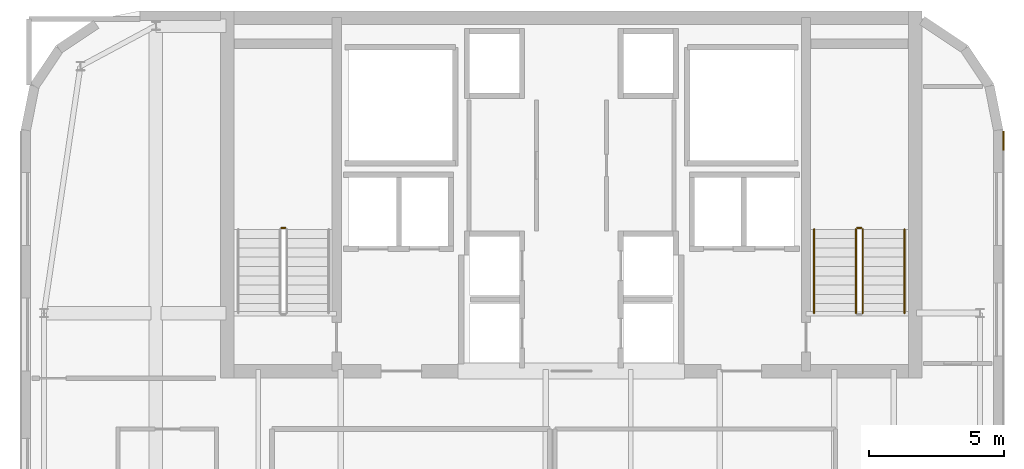
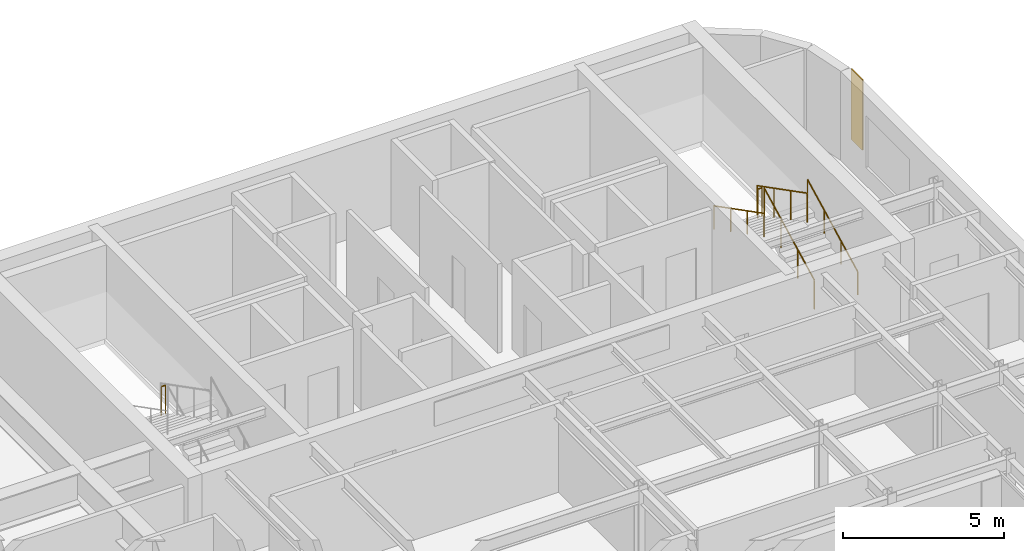
# One storey, part 20 of 20: 6 railings, 1 covering.
"""IFC4 building model written with IfcOpenShell, lengths in metres."""

from ifc_helpers import new_model, si_unit, direction, frame, origin, origin_2d, place, context, subcontext, project, spatial, polyline, circle, outline, extrude, material, layer, layer_set, type_object, element, save


model = new_model("IFC4")

# Units and contexts
model_context = context("Model", 3, precision=1e-05, world=origin(), true_north=direction((0.0, 1.0)))
body_context = subcontext(model_context, "Body", "Model", "MODEL_VIEW")
ifc_project = project(units=[si_unit("LENGTHUNIT", "METRE"), si_unit("AREAUNIT", "SQUARE_METRE"), si_unit("VOLUMEUNIT", "CUBIC_METRE"), si_unit("PLANEANGLEUNIT", "RADIAN"), si_unit("MASSUNIT", "GRAM", prefix="KILO")], contexts=[model_context])

# Site, building, storey
site_placement = place(None, origin())
site = spatial("IfcSite", under=ifc_project, at=site_placement, CompositionType="ELEMENT")
building_placement = place(site_placement, origin())
building = spatial("IfcBuilding", under=site, at=building_placement, Name="Tolvann Quenvar Hotel", CompositionType="ELEMENT")
storey_placement = place(building_placement, frame((0.0, 0.0, 248.75)))
storey = spatial("IfcBuildingStorey", under=building, at=storey_placement, Name="L66", CompositionType="ELEMENT", Elevation=248.75)

# Covering
ifc_material_1 = material(Name="Kiln-fired red architectural face brick cladding", Category="masonry")
ifc_layer = layer(ifc_material_1, 0.0400390625)
ifc_layer_set = layer_set([ifc_layer], Name="Kiln-fired red architectural face brick cladding")
covering_type = type_object("IfcCoveringType", Name="COV_CLAD_BRICK_40", PredefinedType="CLADDING", material=ifc_layer_set)
covering_placement = place(storey_placement, frame((0.0, 0.0, 0.699951171875)))
element("IfcCovering", 1, at=covering_placement, inside=storey, type_object=covering_type, Name="Brick Pier Cladding (L66-E13-P2)", PredefinedType="CLADDING", context=body_context, shape_type="SweptSolid", body=[
    extrude(outline(polyline([(39.0, 40.03271484375), (39.0, 40.73291015625), (39.0400390625, 40.73291015625), (39.0400390625, 40.03271484375), (39.0, 40.03271484375)])), origin(), (0.0, 0.0, 1.0), 2.670166015625),
])

# Railings
ifc_material_2 = material(Name="Brushed 316 stainless steel balustrade and handrail", Category="steel")
railing_type_1 = type_object("IfcRailingType", Name="GUARDRAIL", PredefinedType="GUARDRAIL", material=ifc_material_2)
railing_1_placement = place(storey_placement, frame((12.39990234375, 37.155029296875, 1.77490234375)))
element("IfcRailing", 2, at=railing_1_placement, inside=storey, type_object=railing_type_1, Name="L66 ST-C1 stair guard 2", PredefinedType="GUARDRAIL", context=body_context, shape_type="SweptSolid", body=[
    extrude(circle(Radius=0.02392578125, at=origin_2d()), frame((0.0, 0.0, 1.09619140625), z_axis=(-1.0, 0.0, 0.0), x_axis=(0.0, -1.0, 0.0)), (0.0, 0.0, 1.0), 0.14990234375),
    extrude(circle(Radius=0.02099609375, at=origin_2d()), origin(), (0.0, 0.0, 1.0), 1.072021484375),
    extrude(circle(Radius=0.02099609375, at=origin_2d()), frame((-0.14990234375, 0.0, 0.0)), (0.0, 0.0, 1.0), 1.072021484375),
])
railing_2_placement = place(storey_placement, frame((33.800048828125, 34.0, 0.177490234375)))
element("IfcRailing", 3, at=railing_2_placement, inside=storey, type_object=railing_type_1, Name="L66 ST-C2 stair guard 1", PredefinedType="GUARDRAIL", context=body_context, shape_type="SweptSolid", body=[
    extrude(circle(Radius=0.02392578125, at=origin_2d()), frame((0.0, 0.0, 1.09619140625), z_axis=(0.0, 0.889221982265, 0.45747597342), x_axis=(-1.0, 0.0, 0.0)), (0.0, 0.0, 1.0), 3.49169921875),
    extrude(circle(Radius=0.02099609375, at=origin_2d()), origin(), (0.0, 0.0, 1.0), 1.072021484375),
    extrude(circle(Radius=0.02099609375, at=origin_2d()), frame((0.0, 1.034912109375, 0.532470703125)), (0.0, 0.0, 1.0), 1.072021484375),
    extrude(circle(Radius=0.02099609375, at=origin_2d()), frame((0.0, 2.070068359375, 1.06494140625)), (0.0, 0.0, 1.0), 1.072021484375),
    extrude(circle(Radius=0.02099609375, at=origin_2d()), frame((0.0, 3.10498046875, 1.597412109375)), (0.0, 0.0, 1.0), 1.072021484375),
])
railing_3_placement = place(storey_placement, frame((33.75, 37.155029296875, 1.77490234375)))
element("IfcRailing", 4, at=railing_3_placement, inside=storey, type_object=railing_type_1, Name="L66 ST-C2 stair guard 2", PredefinedType="GUARDRAIL", context=body_context, shape_type="SweptSolid", body=[
    extrude(circle(Radius=0.02392578125, at=origin_2d()), frame((0.0, 0.0, 1.09619140625), z_axis=(-1.0, 0.0, 0.0), x_axis=(0.0, -1.0, 0.0)), (0.0, 0.0, 1.0), 0.14990234375),
    extrude(circle(Radius=0.02099609375, at=origin_2d()), origin(), (0.0, 0.0, 1.0), 1.072021484375),
    extrude(circle(Radius=0.02099609375, at=origin_2d()), frame((-0.14990234375, 0.0, 0.0)), (0.0, 0.0, 1.0), 1.072021484375),
])
railing_4_placement = place(storey_placement, frame((33.550048828125, 37.10498046875, 1.952392578125)))
element("IfcRailing", 5, at=railing_4_placement, inside=storey, type_object=railing_type_1, Name="L66 ST-C2 stair guard 3", PredefinedType="GUARDRAIL", context=body_context, shape_type="SweptSolid", body=[
    extrude(circle(Radius=0.02392578125, at=origin_2d()), frame((0.0, 0.0, 1.09619140625), z_axis=(0.0, -0.88919353882, 0.457531256332), x_axis=(1.0, 0.0, 0.0)), (0.0, 0.0, 1.0), 3.491943359375),
    extrude(circle(Radius=0.02099609375, at=origin_2d()), origin(), (0.0, 0.0, 1.0), 1.072021484375),
    extrude(circle(Radius=0.02099609375, at=origin_2d()), frame((0.0, -1.034912109375, 0.532470703125)), (0.0, 0.0, 1.0), 1.072021484375),
    extrude(circle(Radius=0.02099609375, at=origin_2d()), frame((0.0, -2.070068359375, 1.065185546875)), (0.0, 0.0, 1.0), 1.072021484375),
    extrude(circle(Radius=0.02099609375, at=origin_2d()), frame((0.0, -3.10498046875, 1.59765625)), (0.0, 0.0, 1.0), 1.072021484375),
])
railing_type_2 = type_object("IfcRailingType", Name="HANDRAIL", PredefinedType="HANDRAIL", material=ifc_material_2)
railing_5_placement = place(storey_placement, frame((35.35009765625, 34.0, 0.177490234375)))
element("IfcRailing", 6, at=railing_5_placement, inside=storey, type_object=railing_type_2, Name="L66 ST-C2 stair handrail 1", PredefinedType="HANDRAIL", context=body_context, shape_type="SweptSolid", body=[
    extrude(circle(Radius=0.02392578125, at=origin_2d()), frame((0.0, 0.0, 0.8759765625), z_axis=(0.0, 0.889221982265, 0.45747597342), x_axis=(-1.0, 0.0, 0.0)), (0.0, 0.0, 1.0), 3.49169921875),
    extrude(circle(Radius=0.02099609375, at=origin_2d()), origin(), (0.0, 0.0, 1.0), 0.851806640625),
    extrude(circle(Radius=0.02099609375, at=origin_2d()), frame((0.0, 1.034912109375, 0.532470703125)), (0.0, 0.0, 1.0), 0.851806640625),
    extrude(circle(Radius=0.02099609375, at=origin_2d()), frame((0.0, 2.070068359375, 1.06494140625)), (0.0, 0.0, 1.0), 0.851806640625),
    extrude(circle(Radius=0.02099609375, at=origin_2d()), frame((0.0, 3.10498046875, 1.597412109375)), (0.0, 0.0, 1.0), 0.851806640625),
])
railing_6_placement = place(storey_placement, frame((32.0, 37.10498046875, 1.952392578125)))
element("IfcRailing", 7, at=railing_6_placement, inside=storey, type_object=railing_type_2, Name="L66 ST-C2 stair handrail 2", PredefinedType="HANDRAIL", context=body_context, shape_type="SweptSolid", body=[
    extrude(circle(Radius=0.02392578125, at=origin_2d()), frame((0.0, 0.0, 0.8759765625), z_axis=(0.0, -0.88919353882, 0.457531256332), x_axis=(1.0, 0.0, 0.0)), (0.0, 0.0, 1.0), 3.491943359375),
    extrude(circle(Radius=0.02099609375, at=origin_2d()), origin(), (0.0, 0.0, 1.0), 0.851806640625),
    extrude(circle(Radius=0.02099609375, at=origin_2d()), frame((0.0, -1.034912109375, 0.532470703125)), (0.0, 0.0, 1.0), 0.851806640625),
    extrude(circle(Radius=0.02099609375, at=origin_2d()), frame((0.0, -2.070068359375, 1.065185546875)), (0.0, 0.0, 1.0), 0.851806640625),
    extrude(circle(Radius=0.02099609375, at=origin_2d()), frame((0.0, -3.10498046875, 1.59765625)), (0.0, 0.0, 1.0), 0.851806640625),
])

save(model, "model.ifc")
